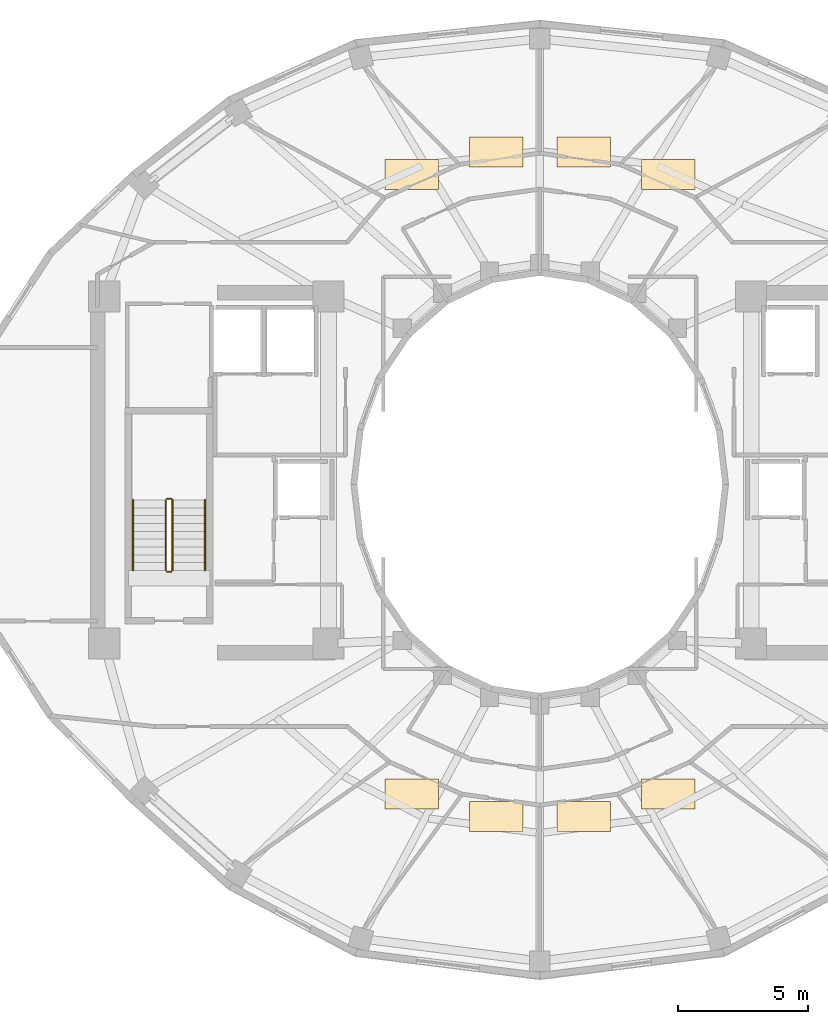
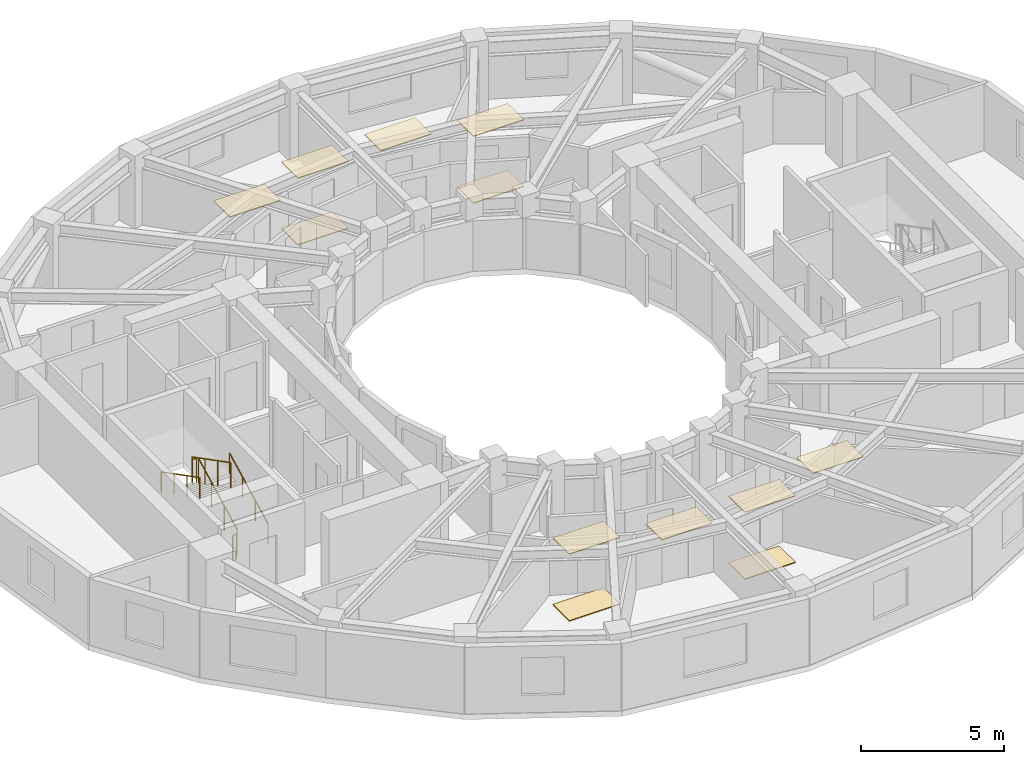
# One storey, part 8 of 9: 12 coverings, 6 railings.
"""IFC4 building model written with IfcOpenShell, lengths in metres."""

from ifc_helpers import new_model, si_unit, direction, frame, origin, origin_2d, place, context, subcontext, project, spatial, polyline, circle, outline, extrude, material, layer, layer_set, type_object, element, save


model = new_model("IFC4")

# Units and contexts
model_context = context("Model", 3, precision=1e-05, world=origin(), true_north=direction((0.0, 1.0)))
body_context = subcontext(model_context, "Body", "Model", "MODEL_VIEW")
ifc_project = project(units=[si_unit("LENGTHUNIT", "METRE"), si_unit("AREAUNIT", "SQUARE_METRE"), si_unit("VOLUMEUNIT", "CUBIC_METRE"), si_unit("PLANEANGLEUNIT", "RADIAN"), si_unit("MASSUNIT", "GRAM", prefix="KILO")], contexts=[model_context])

# Site, building, storey
site_placement = place(None, origin())
site = spatial("IfcSite", under=ifc_project, at=site_placement, CompositionType="ELEMENT")
building_placement = place(site_placement, origin())
building = spatial("IfcBuilding", under=site, at=building_placement, Name="Solvane Sanctuary Tower", CompositionType="ELEMENT")
storey_placement = place(building_placement, frame((0.0, 0.0, 229.5)))
storey = spatial("IfcBuildingStorey", under=building, at=storey_placement, Name="L70", CompositionType="ELEMENT", Elevation=229.5)

# Coverings
ifc_material_1 = material(Name="Acoustic Gypsum Partition Board")
ifc_layer_1 = layer(ifc_material_1, 0.02490234375, Name="Acoustic Gypsum Partition Board")
ifc_layer_set_1 = layer_set([ifc_layer_1], Name="Acoustic Gypsum Partition Board")
covering_type_1 = type_object("IfcCoveringType", Name="Covering CLG-ACOUST", PredefinedType="CEILING", material=ifc_layer_set_1)
covering_1_placement = place(storey_placement, frame((0.0, 0.0, 2.85009765625)))
element("IfcCovering", 1, at=covering_1_placement, inside=storey, type_object=covering_type_1, Name="L70 Unit Acoustic Ceiling Panel 1", PredefinedType="CEILING", context=body_context, shape_type="SweptSolid", body=[
    extrude(outline(polyline([(35.89208984375, 34.297119140625), (37.94189453125, 34.297119140625), (37.94189453125, 35.447021484375), (35.89208984375, 35.447021484375), (35.89208984375, 34.297119140625)])), origin(), (0.0, 0.0, 1.0), 0.02978515625),
])
covering_2_placement = place(storey_placement, frame((0.0, 0.0, 2.85009765625)))
element("IfcCovering", 2, at=covering_2_placement, inside=storey, type_object=covering_type_1, Name="L70 Unit Acoustic Ceiling Panel 2", PredefinedType="CEILING", context=body_context, shape_type="SweptSolid", body=[
    extrude(outline(polyline([(32.652099609375, 35.1650390625), (34.701904296875, 35.1650390625), (34.701904296875, 36.31494140625), (32.652099609375, 36.31494140625), (32.652099609375, 35.1650390625)])), origin(), (0.0, 0.0, 1.0), 0.02978515625),
])
covering_3_placement = place(storey_placement, frame((0.0, 0.0, 2.85009765625)))
element("IfcCovering", 3, at=covering_3_placement, inside=storey, type_object=covering_type_1, Name="L70 Unit Acoustic Ceiling Panel 3", PredefinedType="CEILING", context=body_context, shape_type="SweptSolid", body=[
    extrude(outline(polyline([(29.298095703125, 35.1650390625), (31.347900390625, 35.1650390625), (31.347900390625, 36.31494140625), (29.298095703125, 36.31494140625), (29.298095703125, 35.1650390625)])), origin(), (0.0, 0.0, 1.0), 0.02978515625),
])
covering_4_placement = place(storey_placement, frame((0.0, 0.0, 2.85009765625)))
element("IfcCovering", 4, at=covering_4_placement, inside=storey, type_object=covering_type_1, Name="L70 Unit Acoustic Ceiling Panel 4", PredefinedType="CEILING", context=body_context, shape_type="SweptSolid", body=[
    extrude(outline(polyline([(26.05810546875, 34.297119140625), (28.10791015625, 34.297119140625), (28.10791015625, 35.447021484375), (26.05810546875, 35.447021484375), (26.05810546875, 34.297119140625)])), origin(), (0.0, 0.0, 1.0), 0.02978515625),
])
covering_5_placement = place(storey_placement, frame((0.0, 0.0, 2.85009765625)))
element("IfcCovering", 5, at=covering_5_placement, inside=storey, type_object=covering_type_1, Name="L70 Unit Acoustic Ceiling Panel 5", PredefinedType="CEILING", context=body_context, shape_type="SweptSolid", body=[
    extrude(outline(polyline([(26.05810546875, 10.552978515625), (28.10791015625, 10.552978515625), (28.10791015625, 11.702880859375), (26.05810546875, 11.702880859375), (26.05810546875, 10.552978515625)])), origin(), (0.0, 0.0, 1.0), 0.02978515625),
])
covering_6_placement = place(storey_placement, frame((0.0, 0.0, 2.85009765625)))
element("IfcCovering", 6, at=covering_6_placement, inside=storey, type_object=covering_type_1, Name="L70 Unit Acoustic Ceiling Panel 6", PredefinedType="CEILING", context=body_context, shape_type="SweptSolid", body=[
    extrude(outline(polyline([(29.298095703125, 9.68505859375), (31.347900390625, 9.68505859375), (31.347900390625, 10.8349609375), (29.298095703125, 10.8349609375), (29.298095703125, 9.68505859375)])), origin(), (0.0, 0.0, 1.0), 0.02978515625),
])
covering_7_placement = place(storey_placement, frame((0.0, 0.0, 2.85009765625)))
element("IfcCovering", 7, at=covering_7_placement, inside=storey, type_object=covering_type_1, Name="L70 Unit Acoustic Ceiling Panel 7", PredefinedType="CEILING", context=body_context, shape_type="SweptSolid", body=[
    extrude(outline(polyline([(32.652099609375, 9.68505859375), (34.701904296875, 9.68505859375), (34.701904296875, 10.8349609375), (32.652099609375, 10.8349609375), (32.652099609375, 9.68505859375)])), origin(), (0.0, 0.0, 1.0), 0.02978515625),
])
covering_8_placement = place(storey_placement, frame((0.0, 0.0, 2.85009765625)))
element("IfcCovering", 8, at=covering_8_placement, inside=storey, type_object=covering_type_1, Name="L70 Unit Acoustic Ceiling Panel 8", PredefinedType="CEILING", context=body_context, shape_type="SweptSolid", body=[
    extrude(outline(polyline([(35.89208984375, 10.552978515625), (37.94189453125, 10.552978515625), (37.94189453125, 11.702880859375), (35.89208984375, 11.702880859375), (35.89208984375, 10.552978515625)])), origin(), (0.0, 0.0, 1.0), 0.02978515625),
])
ifc_material_2 = material(Name="Ceramic Tile Finish")
ifc_layer_2 = layer(ifc_material_2, 0.030029296875, Name="Ceramic Tile Finish")
ifc_layer_set_2 = layer_set([ifc_layer_2], Name="Ceramic Tile Finish")
covering_type_2 = type_object("IfcCoveringType", Name="Covering FLR-TERRAZZO", PredefinedType="FLOORING", material=ifc_layer_set_2)
covering_9_placement = place(storey_placement, origin())
element("IfcCovering", 9, at=covering_9_placement, inside=storey, type_object=covering_type_2, Name="L70 Unit Terrazzo Inlay 1", PredefinedType="FLOORING", context=body_context, shape_type="SweptSolid", body=[
    extrude(outline(polyline([(35.89208984375, 34.297119140625), (37.94189453125, 34.297119140625), (37.94189453125, 35.447021484375), (35.89208984375, 35.447021484375), (35.89208984375, 34.297119140625)])), origin(), (0.0, 0.0, 1.0), 0.034912109375),
])
covering_10_placement = place(storey_placement, origin())
element("IfcCovering", 10, at=covering_10_placement, inside=storey, type_object=covering_type_2, Name="L70 Unit Terrazzo Inlay 3", PredefinedType="FLOORING", context=body_context, shape_type="SweptSolid", body=[
    extrude(outline(polyline([(29.298095703125, 35.1650390625), (31.347900390625, 35.1650390625), (31.347900390625, 36.31494140625), (29.298095703125, 36.31494140625), (29.298095703125, 35.1650390625)])), origin(), (0.0, 0.0, 1.0), 0.034912109375),
])
covering_11_placement = place(storey_placement, origin())
element("IfcCovering", 11, at=covering_11_placement, inside=storey, type_object=covering_type_2, Name="L70 Unit Terrazzo Inlay 5", PredefinedType="FLOORING", context=body_context, shape_type="SweptSolid", body=[
    extrude(outline(polyline([(26.05810546875, 10.552978515625), (28.10791015625, 10.552978515625), (28.10791015625, 11.702880859375), (26.05810546875, 11.702880859375), (26.05810546875, 10.552978515625)])), origin(), (0.0, 0.0, 1.0), 0.034912109375),
])
covering_12_placement = place(storey_placement, origin())
element("IfcCovering", 12, at=covering_12_placement, inside=storey, type_object=covering_type_2, Name="L70 Unit Terrazzo Inlay 7", PredefinedType="FLOORING", context=body_context, shape_type="SweptSolid", body=[
    extrude(outline(polyline([(32.652099609375, 9.68505859375), (34.701904296875, 9.68505859375), (34.701904296875, 10.8349609375), (32.652099609375, 10.8349609375), (32.652099609375, 9.68505859375)])), origin(), (0.0, 0.0, 1.0), 0.034912109375),
])

# Railings
ifc_material_3 = material(Name="Architectural Stainless Steel 316", Category="steel")
railing_type_1 = type_object("IfcRailingType", Name="Railing GR-BALC-1150", PredefinedType="BALUSTRADE", material=ifc_material_3)
railing_1_placement = place(storey_placement, frame((17.919921875, 19.699951171875, 0.155029296875)))
element("IfcRailing", 13, at=railing_1_placement, inside=storey, type_object=railing_type_1, Name="L70 ST-1 stair guard 1", PredefinedType="BALUSTRADE", context=body_context, shape_type="SweptSolid", body=[
    extrude(circle(Radius=0.02392578125, at=origin_2d()), frame((0.0, 0.0, 1.076171875), z_axis=(0.0, 0.888419900624, 0.459031676658), x_axis=(-1.0, 0.0, 0.0)), (0.0, 0.0, 1.0), 3.0390625),
    extrude(circle(Radius=0.02099609375, at=origin_2d()), origin(), (0.0, 0.0, 1.0), 1.052001953125),
    extrude(circle(Radius=0.02099609375, at=origin_2d()), frame((0.0, 0.89990234375, 0.465087890625)), (0.0, 0.0, 1.0), 1.052001953125),
    extrude(circle(Radius=0.02099609375, at=origin_2d()), frame((0.0, 1.800048828125, 0.929931640625)), (0.0, 0.0, 1.0), 1.052001953125),
    extrude(circle(Radius=0.02099609375, at=origin_2d()), frame((0.0, 2.699951171875, 1.39501953125)), (0.0, 0.0, 1.0), 1.052001953125),
])
railing_2_placement = place(storey_placement, frame((17.8701171875, 22.449951171875, 1.550048828125)))
element("IfcRailing", 14, at=railing_2_placement, inside=storey, type_object=railing_type_1, Name="L70 ST-1 stair guard 2", PredefinedType="BALUSTRADE", context=body_context, shape_type="SweptSolid", body=[
    extrude(circle(Radius=0.02392578125, at=origin_2d()), frame((0.0, 0.0, 1.076171875), z_axis=(-1.0, 0.0, 0.0), x_axis=(0.0, -1.0, 0.0)), (0.0, 0.0, 1.0), 0.16015625),
    extrude(circle(Radius=0.02099609375, at=origin_2d()), origin(), (0.0, 0.0, 1.0), 1.052001953125),
    extrude(circle(Radius=0.02099609375, at=origin_2d()), frame((-0.16015625, 0.0, 0.0)), (0.0, 0.0, 1.0), 1.052001953125),
])
railing_3_placement = place(storey_placement, frame((17.659912109375, 22.39990234375, 1.705078125)))
element("IfcRailing", 15, at=railing_3_placement, inside=storey, type_object=railing_type_1, Name="L70 ST-1 stair guard 3", PredefinedType="BALUSTRADE", context=body_context, shape_type="SweptSolid", body=[
    extrude(circle(Radius=0.02392578125, at=origin_2d()), frame((0.0, 0.0, 1.076171875), z_axis=(0.0, -0.888419900624, 0.459031676658), x_axis=(1.0, 0.0, 0.0)), (0.0, 0.0, 1.0), 3.0390625),
    extrude(circle(Radius=0.02099609375, at=origin_2d()), origin(), (0.0, 0.0, 1.0), 1.052001953125),
    extrude(circle(Radius=0.02099609375, at=origin_2d()), frame((0.0, -0.89990234375, 0.465087890625)), (0.0, 0.0, 1.0), 1.052001953125),
    extrude(circle(Radius=0.02099609375, at=origin_2d()), frame((0.0, -1.800048828125, 0.929931640625)), (0.0, 0.0, 1.0), 1.052001953125),
    extrude(circle(Radius=0.02099609375, at=origin_2d()), frame((0.0, -2.699951171875, 1.39501953125)), (0.0, 0.0, 1.0), 1.052001953125),
])
railing_4_placement = place(storey_placement, frame((17.8701171875, 19.64990234375, 0.0)))
element("IfcRailing", 16, at=railing_4_placement, inside=storey, type_object=railing_type_1, Name="L70 ST-1 stair guard 4", PredefinedType="BALUSTRADE", context=body_context, shape_type="SweptSolid", body=[
    extrude(circle(Radius=0.02392578125, at=origin_2d()), frame((0.0, 0.0, 1.076171875), z_axis=(-1.0, 0.0, 0.0), x_axis=(0.0, -1.0, 0.0)), (0.0, 0.0, 1.0), 0.16015625),
    extrude(circle(Radius=0.02099609375, at=origin_2d()), origin(), (0.0, 0.0, 1.0), 1.052001953125),
    extrude(circle(Radius=0.02099609375, at=origin_2d()), frame((-0.16015625, 0.0, 0.0)), (0.0, 0.0, 1.0), 1.052001953125),
])
railing_type_2 = type_object("IfcRailingType", Name="Railing HR-STAIR-920", PredefinedType="HANDRAIL", material=ifc_material_3)
railing_5_placement = place(storey_placement, frame((19.169921875, 19.699951171875, 0.155029296875)))
element("IfcRailing", 17, at=railing_5_placement, inside=storey, type_object=railing_type_2, Name="L70 ST-1 stair handrail 1", PredefinedType="HANDRAIL", context=body_context, shape_type="SweptSolid", body=[
    extrude(circle(Radius=0.02392578125, at=origin_2d()), frame((0.0, 0.0, 0.8759765625), z_axis=(0.0, 0.888419900624, 0.459031676658), x_axis=(-1.0, 0.0, 0.0)), (0.0, 0.0, 1.0), 3.0390625),
    extrude(circle(Radius=0.02099609375, at=origin_2d()), origin(), (0.0, 0.0, 1.0), 0.851806640625),
    extrude(circle(Radius=0.02099609375, at=origin_2d()), frame((0.0, 0.89990234375, 0.465087890625)), (0.0, 0.0, 1.0), 0.851806640625),
    extrude(circle(Radius=0.02099609375, at=origin_2d()), frame((0.0, 1.800048828125, 0.929931640625)), (0.0, 0.0, 1.0), 0.851806640625),
    extrude(circle(Radius=0.02099609375, at=origin_2d()), frame((0.0, 2.699951171875, 1.39501953125)), (0.0, 0.0, 1.0), 0.851806640625),
])
railing_6_placement = place(storey_placement, frame((16.409912109375, 22.39990234375, 1.705078125)))
element("IfcRailing", 18, at=railing_6_placement, inside=storey, type_object=railing_type_2, Name="L70 ST-1 stair handrail 2", PredefinedType="HANDRAIL", context=body_context, shape_type="SweptSolid", body=[
    extrude(circle(Radius=0.02392578125, at=origin_2d()), frame((0.0, 0.0, 0.8759765625), z_axis=(0.0, -0.888419900624, 0.459031676658), x_axis=(1.0, 0.0, 0.0)), (0.0, 0.0, 1.0), 3.0390625),
    extrude(circle(Radius=0.02099609375, at=origin_2d()), origin(), (0.0, 0.0, 1.0), 0.851806640625),
    extrude(circle(Radius=0.02099609375, at=origin_2d()), frame((0.0, -0.89990234375, 0.465087890625)), (0.0, 0.0, 1.0), 0.851806640625),
    extrude(circle(Radius=0.02099609375, at=origin_2d()), frame((0.0, -1.800048828125, 0.929931640625)), (0.0, 0.0, 1.0), 0.851806640625),
    extrude(circle(Radius=0.02099609375, at=origin_2d()), frame((0.0, -2.699951171875, 1.39501953125)), (0.0, 0.0, 1.0), 0.851806640625),
])

save(model, "model.ifc")
